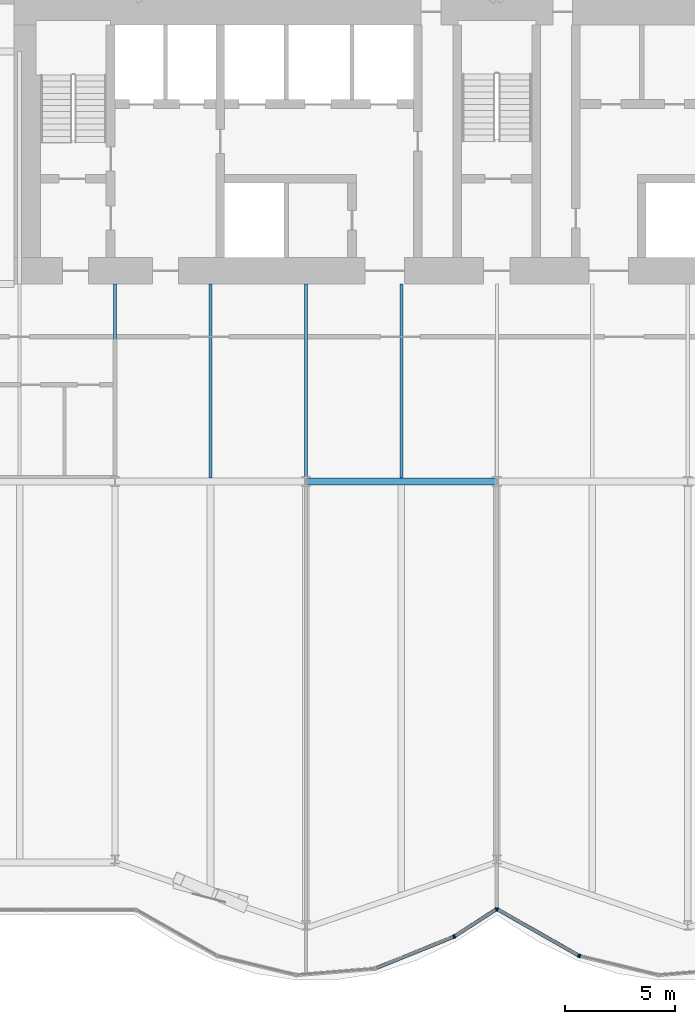
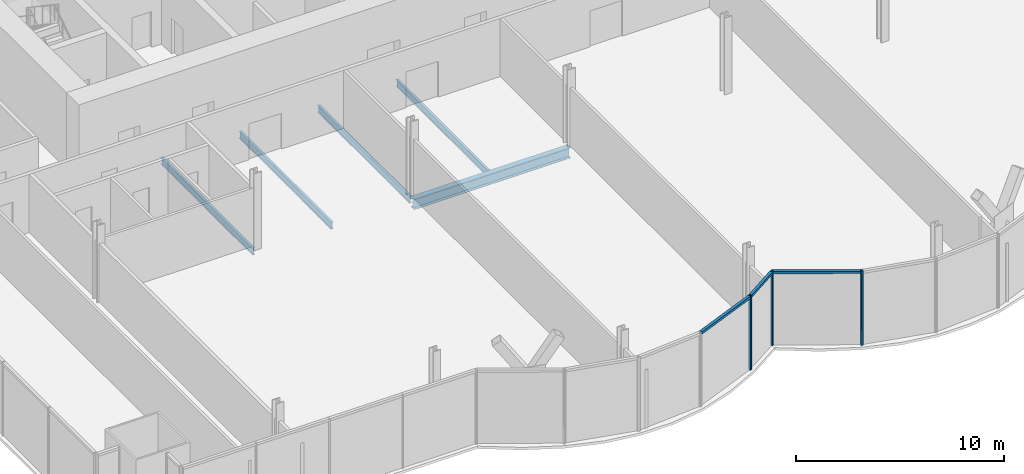
# One storey, part 7 of 22: 9 members, 5 beams, 2 elements without a shape of their own.
"""IFC4 building model written with IfcOpenShell, lengths in metres."""

from ifc_helpers import new_model, si_unit, direction, frame, origin, origin_2d, place, context, subcontext, project, spatial, rectangle, i_section, extrude, material, material_profile, profile_set, type_object, element, aggregate, save


model = new_model("IFC4")

# Units and contexts
model_context = context("Model", 3, precision=1e-05, world=origin(), true_north=direction((0.0, 1.0)))
body_context = subcontext(model_context, "Body", "Model", "MODEL_VIEW")
ifc_project = project(units=[si_unit("LENGTHUNIT", "METRE"), si_unit("AREAUNIT", "SQUARE_METRE"), si_unit("VOLUMEUNIT", "CUBIC_METRE"), si_unit("PLANEANGLEUNIT", "RADIAN"), si_unit("MASSUNIT", "GRAM", prefix="KILO")], contexts=[model_context])

# Site, building, storey
site_placement = place(None, origin())
site = spatial("IfcSite", under=ifc_project, at=site_placement, CompositionType="ELEMENT")
building_placement = place(site_placement, origin())
building = spatial("IfcBuilding", under=site, at=building_placement, Name="Bicima Exchange Tower", CompositionType="ELEMENT")
storey_placement = place(building_placement, frame((0.0, 0.0, 39.5)))
storey = spatial("IfcBuildingStorey", under=building, at=storey_placement, Name="L07", CompositionType="ELEMENT", Elevation=39.5)

# Beams
ifc_material_1 = material(Name="Steel ASTM A992 Gr 50", Category="steel")
ifc_material_profile_1 = material_profile(ifc_material_1, i_section(OverallWidth=0.140380859375, OverallDepth=0.40380859375, WebThickness=0.007080078125, FlangeThickness=0.01123046875, at=origin_2d()))
ifc_profile_set_1 = profile_set([ifc_material_profile_1], Name="Steel ASTM A992 Gr 50")
beam_type_1 = type_object("IfcBeamType", Name="Floor beam W16x31", PredefinedType="JOIST", material=ifc_profile_set_1)
for number, where, z_axis, x_axis, name in (
    (1, (-17.39990234375, -13.0, -0.351806640625), (0.0, -1.0, 0.0), (1.0, 0.0, 0.0), "Floor beam"),
    (2, (-13.050048828125, -13.0, -0.351806640625), (0.0, -1.0, 0.0), (1.0, 0.0, 0.0), "Floor beam"),
    (3, (-8.699951171875, -13.0, -0.351806640625), (0.0, -1.0, 0.0), (1.0, 0.0, 0.0), "Floor beam"),
    (4, (-4.35009765625, -13.0, -0.351806640625), (0.0, -1.0, 0.0), (1.0, 0.0, 0.0), "Floor beam"),
):
    element("IfcBeam", number, at=place(storey_placement, frame(where, z_axis=z_axis, x_axis=x_axis)), inside=storey, type_object=beam_type_1, Name=name, PredefinedType="JOIST", context=body_context, shape_type="SweptSolid", body=[
        extrude(i_section(OverallWidth=0.140380859375, OverallDepth=0.40380859375, WebThickness=0.007080078125, FlangeThickness=0.01123046875, at=origin_2d()), origin(), (0.0, 0.0, 1.0), 8.83740234375),
    ])

# Curtain wall, members
ifc_material_2 = material(Name="Anodised bronze aluminium", Category="aluminium")
curtain_wall_type = type_object("IfcCurtainWallType", Name="Front glass wall", PredefinedType="NOTDEFINED", material=ifc_material_2)
curtain_wall_1_placement = place(storey_placement, origin())
curtain_wall_1 = element("IfcCurtainWall", 5, at=curtain_wall_1_placement, inside=storey, type_object=curtain_wall_type, Name="Front glass wall L07 run 6", PredefinedType="NOTDEFINED")
ifc_material_profile_2 = material_profile(ifc_material_2, rectangle(XDim=0.159912109375, YDim=0.06005859375, at=origin_2d()))
ifc_profile_set_2 = profile_set([ifc_material_profile_2], Name="Anodised bronze aluminium")
member_type_1 = type_object("IfcMemberType", Name="Front glass wall mullion 60 x 160", PredefinedType="MULLION", material=ifc_profile_set_2)
member_1_placement = place(storey_placement, frame((-1.97412109375, -42.751708984375, 0.0), z_axis=(0.0, 0.0, 1.0), x_axis=(-0.374705304, 0.92714396679, 0.0)))
member_1 = element("IfcMember", 6, at=member_1_placement, type_object=member_type_1, Name="Front glass wall mullion 2", PredefinedType="MULLION", context=body_context, shape_type="SweptSolid", body=[
    extrude(rectangle(XDim=0.159912109375, YDim=0.06005859375, at=origin_2d()), origin(), (0.0, 0.0, 1.0), 4.35009765625),
])
member_2_placement = place(storey_placement, frame((-1.921142578125, -42.72412109375, 0.0), z_axis=(0.0, 0.0, 1.0), x_axis=(-0.542897457326, 0.839798994301, 0.0)))
member_2 = element("IfcMember", 7, at=member_2_placement, type_object=member_type_1, Name="Front glass wall mullion 1", PredefinedType="MULLION", context=body_context, shape_type="SweptSolid", body=[
    extrude(rectangle(XDim=0.159912109375, YDim=0.06005859375, at=origin_2d()), origin(), (0.0, 0.0, 1.0), 4.35009765625),
])
member_3_placement = place(storey_placement, frame((-0.025146484375, -41.498291015625, 0.0), z_axis=(0.0, 0.0, 1.0), x_axis=(-0.542897457326, 0.839798994301, 0.0)))
member_3 = element("IfcMember", 8, at=member_3_placement, type_object=member_type_1, Name="Front glass wall mullion 2", PredefinedType="MULLION", context=body_context, shape_type="SweptSolid", body=[
    extrude(rectangle(XDim=0.159912109375, YDim=0.06005859375, at=origin_2d()), origin(), (0.0, 0.0, 1.0), 4.35009765625),
])

curtain_wall_2_placement = place(storey_placement, origin())
curtain_wall_2 = element("IfcCurtainWall", 9, at=curtain_wall_2_placement, inside=storey, type_object=curtain_wall_type, Name="Front glass wall L07 run 11", PredefinedType="NOTDEFINED")
member_4_placement = place(storey_placement, frame((0.026123046875, -41.4970703125, 0.0), z_axis=(0.0, 0.0, 1.0), x_axis=(0.494330311331, 0.869274147378, 0.0)))
member_4 = element("IfcMember", 10, at=member_4_placement, type_object=member_type_1, Name="Front glass wall mullion 1", PredefinedType="MULLION", context=body_context, shape_type="SweptSolid", body=[
    extrude(rectangle(XDim=0.159912109375, YDim=0.06005859375, at=origin_2d()), origin(), (0.0, 0.0, 1.0), 4.35009765625),
])
member_5_placement = place(storey_placement, frame((3.7265625, -43.601318359375, 0.0), z_axis=(0.0, 0.0, 1.0), x_axis=(0.494330311331, 0.869274147378, 0.0)))
member_5 = element("IfcMember", 11, at=member_5_placement, type_object=member_type_1, Name="Front glass wall mullion 2", PredefinedType="MULLION", context=body_context, shape_type="SweptSolid", body=[
    extrude(rectangle(XDim=0.159912109375, YDim=0.06005859375, at=origin_2d()), origin(), (0.0, 0.0, 1.0), 4.35009765625),
])
member_6_placement = place(storey_placement, frame((3.781982421875, -43.623291015625, 0.0), z_axis=(0.0, 0.0, 1.0), x_axis=(0.235681529503, 0.971830343553, 0.0)))
member_6 = element("IfcMember", 12, at=member_6_placement, type_object=member_type_1, Name="Front glass wall mullion 1", PredefinedType="MULLION", context=body_context, shape_type="SweptSolid", body=[
    extrude(rectangle(XDim=0.159912109375, YDim=0.06005859375, at=origin_2d()), origin(), (0.0, 0.0, 1.0), 4.35009765625),
])

# Member
ifc_material_profile_3 = material_profile(ifc_material_2, rectangle(XDim=0.159912109375, YDim=0.139892578125, at=origin_2d()))
ifc_profile_set_3 = profile_set([ifc_material_profile_3], Name="Anodised bronze aluminium")
member_type_2 = type_object("IfcMemberType", Name="Front glass wall transom 140 x 160", PredefinedType="USERDEFINED", material=ifc_profile_set_3)
member_7_placement = place(storey_placement, frame((-5.498291015625, -44.17578125, 4.280029296875), z_axis=(0.927140215882, 0.374714584842, 0.0), x_axis=(-0.374714584842, 0.927140215882, 0.0)))
member_7 = element("IfcMember", 13, at=member_7_placement, type_object=member_type_2, Name="Front glass wall transom 1.1", ObjectType="TRANSOM", PredefinedType="USERDEFINED", context=body_context, shape_type="SweptSolid", body=[
    extrude(rectangle(XDim=0.159912109375, YDim=0.139892578125, at=origin_2d()), origin(), (0.0, 0.0, 1.0), 3.77099609375),
])

member_8_placement = place(storey_placement, frame((-1.89599609375, -42.707763671875, 4.280029296875), z_axis=(0.839811483481, 0.542878137536, 0.0), x_axis=(-0.542878137536, 0.839811483481, 0.0)))
member_8 = element("IfcMember", 14, at=member_8_placement, type_object=member_type_2, Name="Front glass wall transom 1.1", ObjectType="TRANSOM", PredefinedType="USERDEFINED", context=body_context, shape_type="SweptSolid", body=[
    extrude(rectangle(XDim=0.159912109375, YDim=0.139892578125, at=origin_2d()), origin(), (0.0, 0.0, 1.0), 2.19775390625),
])

aggregate(curtain_wall_1, [member_1, member_7, member_2, member_3, member_8])

member_9_placement = place(storey_placement, frame((0.05224609375, -41.51171875, 4.280029296875), z_axis=(0.869265121745, -0.494346182466, 0.0), x_axis=(0.494346182466, 0.869265121745, 0.0)))
member_9 = element("IfcMember", 15, at=member_9_placement, type_object=member_type_2, Name="Front glass wall transom 1.1", ObjectType="TRANSOM", PredefinedType="USERDEFINED", context=body_context, shape_type="SweptSolid", body=[
    extrude(rectangle(XDim=0.159912109375, YDim=0.139892578125, at=origin_2d()), origin(), (0.0, 0.0, 1.0), 4.19677734375),
])

aggregate(curtain_wall_2, [member_4, member_5, member_9, member_6])

# Beam
ifc_material_profile_4 = material_profile(ifc_material_1, i_section(OverallWidth=0.3251953125, OverallDepth=0.612060546875, WebThickness=0.0126953125, FlangeThickness=0.01904296875, at=origin_2d()))
ifc_profile_set_4 = profile_set([ifc_material_profile_4], Name="Steel ASTM A992 Gr 50")
beam_type_2 = type_object("IfcBeamType", Name="Row girder W24x104", PredefinedType="BEAM", material=ifc_profile_set_4)
beam_placement = place(storey_placement, frame((-8.699951171875, -22.0, -0.4560546875), z_axis=(1.0, 0.0, 0.0), x_axis=(0.0, 1.0, 0.0)))
element("IfcBeam", 16, at=beam_placement, inside=storey, type_object=beam_type_2, Name="Row girder", PredefinedType="BEAM", context=body_context, shape_type="SweptSolid", body=[
    extrude(i_section(OverallWidth=0.3251953125, OverallDepth=0.612060546875, WebThickness=0.0126953125, FlangeThickness=0.01904296875, at=origin_2d()), origin(), (0.0, 0.0, 1.0), 8.699951171875),
])

save(model, "model.ifc")
